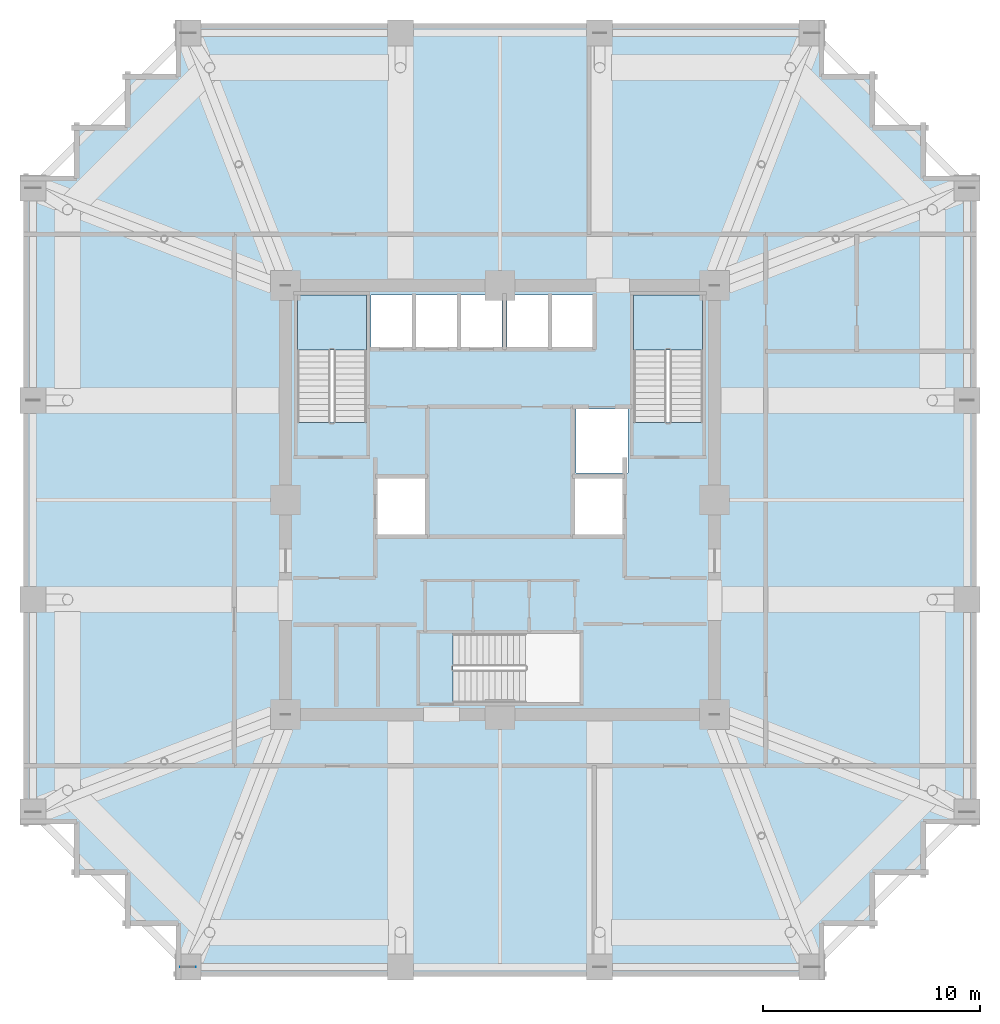
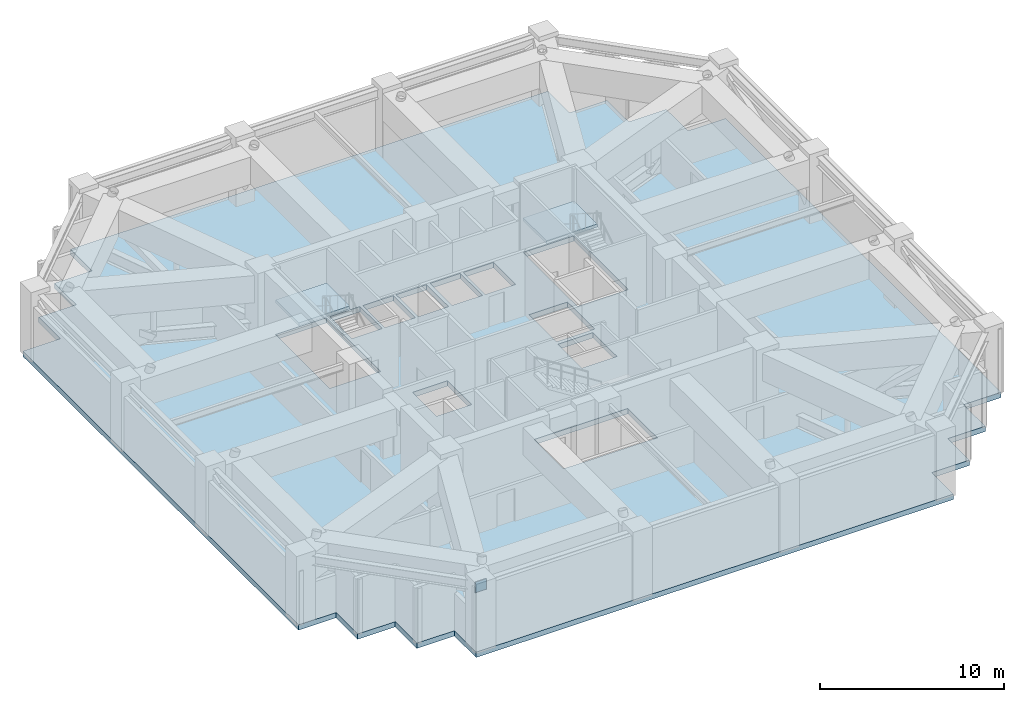
# One storey, part 7 of 15: 3 slabs, 1 plate, 2 elements without a shape of their own.
"""IFC4 building model written with IfcOpenShell, lengths in metres."""

import ifcopenshell
import ifcopenshell.guid

model = None  # the IFC model being written
_history = None  # IfcOwnerHistory: only IFC2X3 demands one
_inside = {}  # id of a spatial element -> (the spatial element, [elements in it])
_under = {}  # id of a project, library or spatial element -> (it, [spatial elements below it])
_declared = {}  # id of a project -> (the project, [libraries it declares])
_typed = {}  # id of a type object -> (the type object, [elements of that type])
_made_of = {}  # id of a material, layer set ... -> (it, [elements and type objects made of it])


def new_model(schema):
    """Start an empty IFC model of exactly this schema.

    Asked for "IFC4X3", IfcOpenShell would pick the latest addendum, in which some entities
    have other attributes; the version numbers below select the first issue.
    IFC2X3 requires an IfcOwnerHistory on every rooted entity: one is made here for all.
    """
    global model, _history
    if schema == "IFC4X3":
        model = ifcopenshell.file(schema_version=(4, 3, 0, 0))
    else:
        model = ifcopenshell.file(schema=schema)
    _inside.clear()
    _under.clear()
    _declared.clear()
    _typed.clear()
    _made_of.clear()
    _history = None
    if model.schema == "IFC2X3":
        org = make("IfcOrganization", Name="unknown")
        user = make(
            "IfcPersonAndOrganization",
            ThePerson=make("IfcPerson", FamilyName="unknown"),
            TheOrganization=org,
        )
        app = make(
            "IfcApplication",
            ApplicationDeveloper=org,
            Version="unknown",
            ApplicationFullName="unknown",
            ApplicationIdentifier="unknown",
        )
        _history = make(
            "IfcOwnerHistory",
            OwningUser=user,
            OwningApplication=app,
            ChangeAction="ADDED",
            CreationDate=0,
        )
    return model


def make(cls, **values):
    """One entity of the class cls with the attributes given. An attribute that is None is left unset."""
    return model.create_entity(
        cls, **{name: value for name, value in values.items() if value is not None}
    )


def rooted(cls, **values):
    """An entity with a GlobalId (a new one), such as an element, a storey or a relation."""
    return make(cls, GlobalId=ifcopenshell.guid.new(), OwnerHistory=_history, **values)


def si_unit(unit_type, name, prefix=None):
    """IfcSIUnit, for example si_unit("LENGTHUNIT", "METRE", prefix="MILLI")."""
    return make("IfcSIUnit", UnitType=unit_type, Prefix=prefix, Name=name)


def assignment(units):
    """IfcUnitAssignment: the units of a project."""
    return None if units is None else make("IfcUnitAssignment", Units=units)


def point(xyz):
    """IfcCartesianPoint."""
    return None if xyz is None else make("IfcCartesianPoint", Coordinates=xyz)


def direction(xyz):
    """IfcDirection."""
    return None if xyz is None else make("IfcDirection", DirectionRatios=xyz)


def frame(location, z_axis=None, x_axis=None):
    """IfcAxis2Placement3D, a coordinate frame: its origin and axes. An axis left out is left unset."""
    return make(
        "IfcAxis2Placement3D",
        Location=point(location),
        Axis=direction(z_axis),
        RefDirection=direction(x_axis),
    )


def frame_2d(location, x_axis=None):
    """IfcAxis2Placement2D, a coordinate frame in the plane: its origin and x axis."""
    return make(
        "IfcAxis2Placement2D", Location=point(location), RefDirection=direction(x_axis)
    )


def origin():
    """The frame at (0, 0, 0) with its axes left unset."""
    return frame((0.0, 0.0, 0.0))


def origin_2d():
    """The frame at (0, 0) in the plane with its x axis left unset."""
    return frame_2d((0.0, 0.0))


def place(relative_to, where):
    """IfcLocalPlacement: puts the frame where relative to a parent placement (None: the world)."""
    return make(
        "IfcLocalPlacement", PlacementRelTo=relative_to, RelativePlacement=where
    )


def context(
    kind, dimensions, precision=None, world=None, true_north=None, identifier=None
):
    """IfcGeometricRepresentationContext, for example the 3D "Model" context."""
    return make(
        "IfcGeometricRepresentationContext",
        ContextIdentifier=identifier,
        ContextType=kind,
        CoordinateSpaceDimension=dimensions,
        Precision=precision,
        WorldCoordinateSystem=world,
        TrueNorth=true_north,
    )


def subcontext(parent, identifier, kind, view, scale=None):
    """IfcGeometricRepresentationSubContext, for example "Body" below "Model"."""
    return make(
        "IfcGeometricRepresentationSubContext",
        ContextIdentifier=identifier,
        ContextType=kind,
        ParentContext=parent,
        TargetScale=scale,
        TargetView=view,
    )


def project(units=None, contexts=None):
    """IfcProject with its units and contexts."""
    return rooted(
        "IfcProject",
        Name="project",
        RepresentationContexts=contexts,
        UnitsInContext=assignment(units),
    )


def spatial(cls, under=None, at=None, **own):
    """A site, building, storey or space (cls), placed at a placement, below another one or the project."""
    s = rooted(cls, ObjectPlacement=at, **own)
    if under is not None:
        _under.setdefault(under.id(), (under, []))[1].append(s)
    return s


def polyline(points):
    """IfcPolyline through the points."""
    return make("IfcPolyline", Points=[point(p) for p in points])


def profile(cls, at=None, kind="AREA", **sizes):
    """A parametric profile (cls). Its sizes go by their IFC names, for example OverallWidth=200.0."""
    return make(cls, ProfileType=kind, Position=at, **sizes)


def rectangle(**sizes):
    """IfcRectangleProfileDef."""
    return profile("IfcRectangleProfileDef", **sizes)


def outline(outer, holes=None, kind="AREA"):
    """IfcArbitraryClosedProfileDef: a profile drawn as a closed curve; with holes, ...WithVoids."""
    if holes is None:
        return make("IfcArbitraryClosedProfileDef", ProfileType=kind, OuterCurve=outer)
    return make(
        "IfcArbitraryProfileDefWithVoids",
        ProfileType=kind,
        OuterCurve=outer,
        InnerCurves=holes,
    )


def extrude(swept, where, along, depth):
    """IfcExtrudedAreaSolid: the profile swept, set in the frame where, extruded along a direction by depth."""
    return make(
        "IfcExtrudedAreaSolid",
        SweptArea=swept,
        Position=where,
        ExtrudedDirection=direction(along),
        Depth=depth,
    )


def shape(context_of_items, identifier, shape_type, items):
    """IfcShapeRepresentation: the items that make up one representation, for example the "Body"."""
    return make(
        "IfcShapeRepresentation",
        ContextOfItems=context_of_items,
        RepresentationIdentifier=identifier,
        RepresentationType=shape_type,
        Items=items,
    )


def material(Name=None, Category=None):
    """IfcMaterial."""
    return make("IfcMaterial", Name=Name, Category=Category)


def layer(
    of_material, thickness, ventilated=None, Name=None, Category=None, Priority=None
):
    """IfcMaterialLayer: one layer of a wall or slab, of a material (None: an air gap)."""
    return make(
        "IfcMaterialLayer",
        Material=of_material,
        LayerThickness=thickness,
        IsVentilated=ventilated,
        Name=Name,
        Category=Category,
        Priority=Priority,
    )


def layer_set(layers, Name=None):
    """IfcMaterialLayerSet."""
    return make("IfcMaterialLayerSet", MaterialLayers=layers, LayerSetName=Name)


def made_of(thing, what):
    """Note that an element or type object is made of a material, layer set ...; save() writes the relation."""
    if what is not None:
        _made_of.setdefault(what.id(), (what, []))[1].append(thing)
    return thing


def type_object(cls, material=None, **own):
    """A type object (cls), such as IfcWallType, which elements share."""
    return made_of(rooted(cls, **own), material)


def element(
    cls,
    number,
    at=None,
    inside=None,
    cuts=None,
    type_object=None,
    material=None,
    context=None,
    identifier="Body",
    shape_type=None,
    held_by="IfcProductDefinitionShape",
    body=None,
    shapes=None,
    **own,
):
    """One element of the class cls, such as IfcWall. Its Tag is "e" and its number.

    at: its placement. inside: the storey or other place that contains it. cuts: it is an
    opening in that element (IfcRelVoidsElement). A single representation is given by context,
    identifier, shape_type and body (its items); several are given by shapes. held_by: the class
    of the entity that holds the representations. save() writes the other relations.
    """
    e = rooted(cls, Tag="e%d" % number, ObjectPlacement=at, **own)
    if body is not None:
        shapes = [shape(context, identifier, shape_type, body)]
    if shapes is not None:
        e.Representation = make(held_by, Representations=shapes)
    if inside is not None:
        _inside.setdefault(inside.id(), (inside, []))[1].append(e)
    if cuts is not None:
        rooted(
            "IfcRelVoidsElement", RelatingBuildingElement=cuts, RelatedOpeningElement=e
        )
    if type_object is not None:
        _typed.setdefault(type_object.id(), (type_object, []))[1].append(e)
    return made_of(e, material)


def aggregate(whole, parts):
    """IfcRelAggregates: a whole, such as a stair, and the parts it consists of."""
    return rooted("IfcRelAggregates", RelatingObject=whole, RelatedObjects=parts)


def save(model, path):
    """Write the relations noted so far, then the file.

    IfcRelAggregates (storeys below a building ...), IfcRelContainedInSpatialStructure (elements
    in a storey), IfcRelDefinesByType, IfcRelAssociatesMaterial and IfcRelDeclares: one each for
    every whole, place, type object, material and project.
    """
    for whole, parts in _under.values():
        aggregate(whole, parts)
    for where, things in _inside.values():
        rooted(
            "IfcRelContainedInSpatialStructure",
            RelatedElements=things,
            RelatingStructure=where,
        )
    for kind, things in _typed.values():
        rooted("IfcRelDefinesByType", RelatedObjects=things, RelatingType=kind)
    for what, things in _made_of.values():
        rooted("IfcRelAssociatesMaterial", RelatedObjects=things, RelatingMaterial=what)
    for by, libraries in _declared.values():
        rooted("IfcRelDeclares", RelatingContext=by, RelatedDefinitions=libraries)
    model.write(path)


model = new_model("IFC4")

# Units and contexts
model_context = context("Model", 3, precision=1e-05, world=origin(), true_north=direction((0.0, 1.0)))
body_context = subcontext(model_context, "Body", "Model", "MODEL_VIEW")
ifc_project = project(units=[si_unit("LENGTHUNIT", "METRE"), si_unit("AREAUNIT", "SQUARE_METRE"), si_unit("VOLUMEUNIT", "CUBIC_METRE"), si_unit("PLANEANGLEUNIT", "RADIAN"), si_unit("MASSUNIT", "GRAM", prefix="KILO")], contexts=[model_context])

# Site, building, storey
site_placement = place(None, origin())
site = spatial("IfcSite", under=ifc_project, at=site_placement, CompositionType="ELEMENT")
building_placement = place(site_placement, origin())
building = spatial("IfcBuilding", under=site, at=building_placement, Name="Kolvaren Belvedere", CompositionType="ELEMENT")
storey_placement = place(building_placement, frame((0.0, 0.0, 63.39990234375)))
storey = spatial("IfcBuildingStorey", under=building, at=storey_placement, Name="L18", CompositionType="ELEMENT", Elevation=63.39990234375)

# Plate
ifc_material_1 = material(Name="Structural steel ASTM A572 Grade 50", Category="steel")
ifc_layer_1 = layer(ifc_material_1, 0.0400390625)
ifc_layer_set_1 = layer_set([ifc_layer_1], Name="Structural steel ASTM A572 Grade 50")
plate_type = type_object("IfcPlateType", Name="PL-GUSSET-40", PredefinedType="USERDEFINED", material=ifc_layer_set_1)
plate_placement = place(storey_placement, frame((-14.39990234375, -21.550048828125, 3.60009765625), z_axis=(0.0, 0.0, 1.0), x_axis=(1.0, 0.0, 0.0)))
element("IfcPlate", 1, at=plate_placement, inside=storey, type_object=plate_type, Name="L18 Outrigger Truss Node Gusset ON-1", ObjectType="GUSSET PLATE", PredefinedType="USERDEFINED", context=body_context, shape_type="SweptSolid", body=[
    extrude(rectangle(XDim=0.699951171875, YDim=0.0400390625, at=origin_2d()), origin(), (0.0, 0.0, 1.0), 0.699951171875),
])

# Slab
ifc_material_2 = material(Name="Concrete C50/60", Category="concrete")
ifc_layer_2 = layer(ifc_material_2, 0.35009765625)
ifc_layer_set_2 = layer_set([ifc_layer_2], Name="Concrete C50/60")
slab_type_1 = type_object("IfcSlabType", Name="SL-FLR-350", PredefinedType="FLOOR", material=ifc_layer_set_2)
slab_1_placement = place(storey_placement, frame((0.0, 0.0, -0.349853515625)))
element("IfcSlab", 2, at=slab_1_placement, inside=storey, type_object=slab_type_1, Name="L18 Primary Structural Slab", PredefinedType="FLOOR", context=body_context, shape_type="SweptSolid", body=[
    extrude(outline(polyline([(-14.949951171875, -22.0), (14.949951171875, -22.0), (14.949951171875, -19.64990234375), (17.300048828125, -19.64990234375), (17.300048828125, -17.300048828125), (19.64990234375, -17.300048828125), (19.64990234375, -14.949951171875), (22.0, -14.949951171875), (22.0, 14.949951171875), (19.64990234375, 14.949951171875), (19.64990234375, 17.300048828125), (17.300048828125, 17.300048828125), (17.300048828125, 19.64990234375), (14.949951171875, 19.64990234375), (14.949951171875, 22.0), (-14.949951171875, 22.0), (-14.949951171875, 19.64990234375), (-17.300048828125, 19.64990234375), (-17.300048828125, 17.300048828125), (-19.64990234375, 17.300048828125), (-19.64990234375, 14.949951171875), (-22.0, 14.949951171875), (-22.0, -14.949951171875), (-19.64990234375, -14.949951171875), (-19.64990234375, -17.300048828125), (-17.300048828125, -17.300048828125), (-17.300048828125, -19.64990234375), (-14.949951171875, -19.64990234375), (-14.949951171875, -22.0)]), holes=[polyline([(-9.35009765625, 3.580078125), (-6.159912109375, 3.580078125), (-6.159912109375, 9.449951171875), (-9.35009765625, 9.449951171875), (-9.35009765625, 3.580078125)]), polyline([(6.159912109375, 3.580078125), (9.35009765625, 3.580078125), (9.35009765625, 9.449951171875), (6.159912109375, 9.449951171875), (6.159912109375, 3.580078125)]), polyline([(-2.169921875, -9.35009765625), (3.699951171875, -9.35009765625), (3.699951171875, -6.159912109375), (-2.169921875, -6.159912109375), (-2.169921875, -9.35009765625)]), polyline([(-5.64990234375, -1.60009765625), (-3.449951171875, -1.60009765625), (-3.449951171875, 1.0), (-5.64990234375, 1.0), (-5.64990234375, -1.60009765625)]), polyline([(3.5, 1.25), (5.89990234375, 1.25), (5.89990234375, 4.199951171875), (3.5, 4.199951171875), (3.5, 1.25)]), polyline([(3.449951171875, -1.60009765625), (5.64990234375, -1.60009765625), (5.64990234375, 1.0), (3.449951171875, 1.0), (3.449951171875, -1.60009765625)]), polyline([(-5.9599609375, 7.050048828125), (-4.06005859375, 7.050048828125), (-4.06005859375, 9.449951171875), (-5.9599609375, 9.449951171875), (-5.9599609375, 7.050048828125)]), polyline([(-3.8798828125, 7.050048828125), (-1.97998046875, 7.050048828125), (-1.97998046875, 9.449951171875), (-3.8798828125, 9.449951171875), (-3.8798828125, 7.050048828125)]), polyline([(-1.800048828125, 7.050048828125), (0.10009765625, 7.050048828125), (0.10009765625, 9.449951171875), (-1.800048828125, 9.449951171875), (-1.800048828125, 7.050048828125)]), polyline([(0.320068359375, 7.050048828125), (2.219970703125, 7.050048828125), (2.219970703125, 9.449951171875), (0.320068359375, 9.449951171875), (0.320068359375, 7.050048828125)]), polyline([(2.39990234375, 7.050048828125), (4.300048828125, 7.050048828125), (4.300048828125, 9.449951171875), (2.39990234375, 9.449951171875), (2.39990234375, 7.050048828125)])]), origin(), (0.0, 0.0, 1.0), 0.349853515625),
])

# Stair, slab
ifc_material_3 = material(Name="Concrete C50/60", Category="concrete")
stair_type = type_object("IfcStairType", Name="ST-CORE-1520", PredefinedType="HALF_TURN_STAIR", material=ifc_material_3)
stair_1_placement = place(storey_placement, origin())
stair_1 = element("IfcStair", 3, at=stair_1_placement, inside=storey, type_object=stair_type, Name="L18 Protected Exit Stair ST-1", PredefinedType="HALF_TURN_STAIR")
ifc_material_4 = material(Name="Concrete C50/60", Category="concrete")
ifc_layer_3 = layer(ifc_material_4, 0.260009765625)
ifc_layer_set_3 = layer_set([ifc_layer_3], Name="Concrete C50/60")
slab_type_2 = type_object("IfcSlabType", Name="SL-LAND-260", PredefinedType="LANDING", material=ifc_layer_set_3)
slab_2_placement = place(storey_placement, frame((0.0, 0.0, 2.10009765625)))
slab_2 = element("IfcSlab", 4, at=slab_2_placement, type_object=slab_type_2, Name="ST-1 landing 1", PredefinedType="LANDING", context=body_context, shape_type="SweptSolid", body=[
    extrude(outline(polyline([(-6.159912109375, 6.929931640625), (-6.159912109375, 9.449951171875), (-9.35009765625, 9.449951171875), (-9.35009765625, 6.929931640625), (-6.159912109375, 6.929931640625)])), origin(), (0.0, 0.0, 1.0), 0.199951171875),
])
aggregate(stair_1, [slab_2])

stair_2_placement = place(storey_placement, origin())
stair_2 = element("IfcStair", 5, at=stair_2_placement, inside=storey, type_object=stair_type, Name="L18 Protected Exit Stair ST-2", PredefinedType="HALF_TURN_STAIR")
slab_3_placement = place(storey_placement, frame((0.0, 0.0, 2.10009765625)))
slab_3 = element("IfcSlab", 6, at=slab_3_placement, type_object=slab_type_2, Name="ST-2 landing 1", PredefinedType="LANDING", context=body_context, shape_type="SweptSolid", body=[
    extrude(outline(polyline([(9.35009765625, 6.929931640625), (9.35009765625, 9.449951171875), (6.159912109375, 9.449951171875), (6.159912109375, 6.929931640625), (9.35009765625, 6.929931640625)])), origin(), (0.0, 0.0, 1.0), 0.199951171875),
])
aggregate(stair_2, [slab_3])

save(model, "model.ifc")
